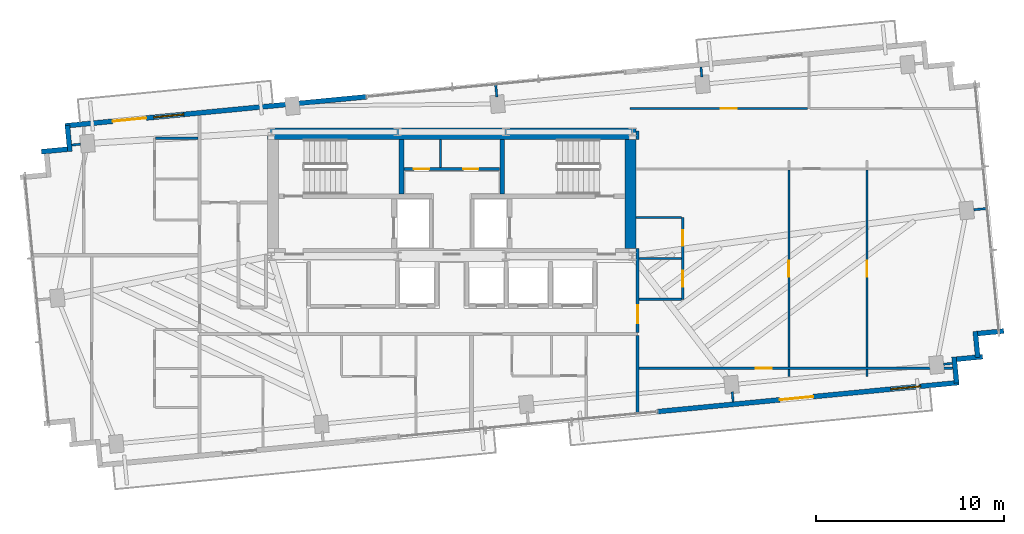
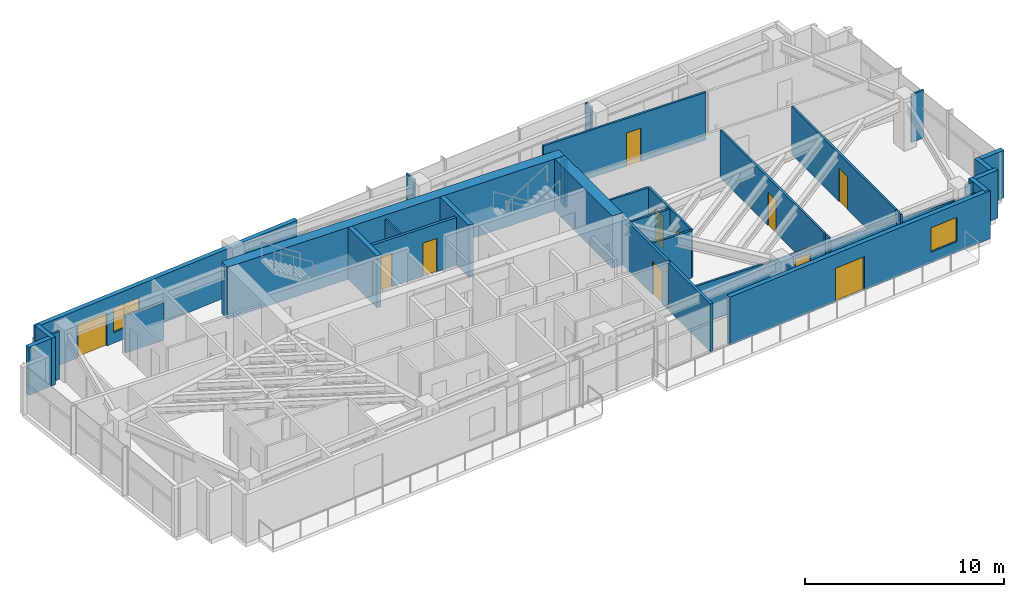
# One storey, part 15 of 18: 34 walls, 11 doors, 2 windows, 13 openings.
"""IFC4 building model written with IfcOpenShell, lengths in metres."""

from ifc_helpers import new_model, si_unit, direction, frame, frame_2d, origin, place, context, subcontext, project, spatial, rectangle, extrude, source, transform, mapped, material, layer, layer_set, type_object, type_shapes, element, fill, save


model = new_model("IFC4")

# Units and contexts
model_context = context("Model", 3, precision=1e-05, world=origin(), true_north=direction((0.0, 1.0)))
body_context = subcontext(model_context, "Body", "Model", "MODEL_VIEW")
ifc_project = project(units=[si_unit("LENGTHUNIT", "METRE"), si_unit("AREAUNIT", "SQUARE_METRE"), si_unit("VOLUMEUNIT", "CUBIC_METRE"), si_unit("PLANEANGLEUNIT", "RADIAN"), si_unit("MASSUNIT", "GRAM", prefix="KILO")], contexts=[model_context])

# Site, building, storey
site_placement = place(None, origin())
site = spatial("IfcSite", under=ifc_project, at=site_placement, CompositionType="ELEMENT")
building_placement = place(site_placement, origin())
building = spatial("IfcBuilding", under=site, at=building_placement, Name="Astriad Promenade Condominiums", CompositionType="ELEMENT")
storey_placement = place(building_placement, frame((0.0, 0.0, 182.60009765625)))
storey = spatial("IfcBuildingStorey", under=building, at=storey_placement, Name="L52", CompositionType="ELEMENT", Elevation=182.60009765625)

# Walls
ifc_material_1 = material(Name="Concrete C50/60", Category="concrete")
ifc_layer_1 = layer(ifc_material_1, 0.60009765625)
ifc_layer_set_1 = layer_set([ifc_layer_1], Name="Concrete C50/60")
wall_type_1 = type_object("IfcWallType", Name="CW-SHEAR-600", PredefinedType="SHEAR", material=ifc_layer_set_1)
wall_1_placement = place(storey_placement, frame((26.199951171875, 23.89990234375, 0.0), z_axis=(0.0, 0.0, 1.0), x_axis=(1.0, 0.0, 0.0)))
element("IfcWall", 1, at=wall_1_placement, inside=storey, type_object=wall_type_1, Name="CW-CORE-N-L52", PredefinedType="SHEAR", context=body_context, shape_type="SweptSolid", body=[
    extrude(rectangle(XDim=19.60009765625, YDim=0.60009765625, at=frame_2d((9.800048828125, 0.0))), origin(), (0.0, 0.0, 1.0), 3.199951171875),
])
wall_2_placement = place(storey_placement, frame((45.5, 17.802001953125, 0.0), z_axis=(0.0, 0.0, 1.0), x_axis=(0.0, 1.0, 0.0)))
element("IfcWall", 2, at=wall_2_placement, inside=storey, type_object=wall_type_1, Name="CW-CORE-E-L52", PredefinedType="SHEAR", context=body_context, shape_type="SweptSolid", body=[
    extrude(rectangle(XDim=5.7958984375, YDim=0.60009765625, at=frame_2d((2.89794921875, 0.0))), origin(), (0.0, 0.0, 1.0), 3.199951171875),
])
ifc_layer_2 = layer(ifc_material_1, 0.25)
ifc_layer_set_2 = layer_set([ifc_layer_2], Name="Concrete C50/60")
wall_type_2 = type_object("IfcWallType", Name="WALL-CORE-INT-250", PredefinedType="SOLIDWALL", material=ifc_layer_set_2)
for number, where, z_axis, x_axis, name in (
    (3, (33.324951171875, 20.701904296875, 0.0), (0.0, 0.0, 1.0), (0.0, 1.0, 0.0), "CW-ST1-E-L52"),
    (4, (38.675048828125, 20.701904296875, 0.0), (0.0, 0.0, 1.0), (0.0, 1.0, 0.0), "CW-ST2-W-L52"),
):
    element("IfcWall", number, at=place(storey_placement, frame(where, z_axis=z_axis, x_axis=x_axis)), inside=storey, type_object=wall_type_2, Name=name, PredefinedType="SOLIDWALL", context=body_context, shape_type="SweptSolid", body=[
        extrude(rectangle(XDim=2.89599609375, YDim=0.25, at=frame_2d((1.447998046875, 0.0))), origin(), (0.0, 0.0, 1.0), 3.199951171875),
    ])

# Wall, openings, doors
ifc_material_2 = material(Name="Fire-Rated Gypsum Partition")
ifc_layer_3 = layer(ifc_material_2, 0.159912109375)
ifc_layer_set_3 = layer_set([ifc_layer_3], Name="Fire-Rated Gypsum Partition")
wall_type_3 = type_object("IfcWallType", Name="WALL-CORR-160", PredefinedType="PARTITIONING", material=ifc_layer_set_3)
wall_3_placement = place(storey_placement, frame((33.451904296875, 22.030029296875, 0.0), z_axis=(0.0, 0.0, 1.0), x_axis=(1.0, 0.0, 0.0)))
wall_3 = element("IfcWall", 5, at=wall_3_placement, inside=storey, type_object=wall_type_3, Name="CW-AUX-N-L52", PredefinedType="PARTITIONING", context=body_context, shape_type="SweptSolid", body=[
    extrude(rectangle(XDim=5.09619140625, YDim=0.159912109375, at=frame_2d((2.548095703125, 0.0))), origin(), (0.0, 0.0, 1.0), 2.93994140625),
])
opening_1_placement = place(wall_3_placement, frame((0.5380859375, 0.0, 0.0)))
opening_1 = element("IfcOpeningElement", 6, at=opening_1_placement, cuts=wall_3, Name="Opening FD60-SV-080", PredefinedType="OPENING", context=body_context, shape_type="SweptSolid", body=[
    extrude(rectangle(XDim=0.800048828125, YDim=2.050048828125, at=frame_2d((0.39990234375, 1.02490234375))), frame((0.0, 0.08984375, 0.0), z_axis=(0.0, -1.0, 0.0), x_axis=(1.0, 0.0, 0.0)), (0.0, 0.0, 1.0), 0.179931640625),
])
opening_2_placement = place(wall_3_placement, frame((3.157958984375, 0.0, 0.0)))
opening_2 = element("IfcOpeningElement", 7, at=opening_2_placement, cuts=wall_3, Name="Opening FD60-SV-080", PredefinedType="OPENING", context=body_context, shape_type="SweptSolid", body=[
    extrude(rectangle(XDim=0.800048828125, YDim=2.050048828125, at=frame_2d((0.39990234375, 1.02490234375))), frame((0.0, 0.08984375, 0.0), z_axis=(0.0, -1.0, 0.0), x_axis=(1.0, 0.0, 0.0)), (0.0, 0.0, 1.0), 0.179931640625),
])
ifc_material_3 = material(Name="Fire-Rated Riser Closet Door")
door_type_1 = type_object("IfcDoorType", Name="FD60-SV-080", OperationType="NOTDEFINED", PredefinedType="DOOR", material=ifc_material_3)
shared_shape_1 = source(origin(), body_context, "Body", "SweptSolid", [
    extrude(rectangle(XDim=0.800048828125, YDim=2.050048828125, at=frame_2d((0.39990234375, 1.02490234375))), frame((0.0, 0.02490234375, 0.0), z_axis=(0.0, -1.0, 0.0), x_axis=(1.0, 0.0, 0.0)), (0.0, 0.0, 1.0), 0.050048828125),
])
type_shapes(door_type_1, [shared_shape_1])
door_1_placement = place(opening_1_placement, origin())
door_1 = element("IfcDoor", 8, at=door_1_placement, inside=storey, type_object=door_type_1, Name="D-AUX1-L52", OperationType="SINGLE_SWING_LEFT", OverallHeight=2.050048828125, OverallWidth=0.800048828125, PredefinedType="DOOR", context=body_context, shape_type="MappedRepresentation", body=[
    mapped(shared_shape_1, transform((0.0, 0.0, 0.0), scale=1.0)),
])
fill(opening_1, door_1)
door_2_placement = place(opening_2_placement, origin())
door_2 = element("IfcDoor", 9, at=door_2_placement, inside=storey, type_object=door_type_1, Name="D-AUX2-L52", OperationType="SINGLE_SWING_RIGHT", OverallHeight=2.050048828125, OverallWidth=0.800048828125, PredefinedType="DOOR", context=body_context, shape_type="MappedRepresentation", body=[
    mapped(shared_shape_1, transform((0.0, 0.0, 0.0), scale=1.0)),
])
fill(opening_2, door_2)

# Wall
wall_4_placement = place(storey_placement, frame((45.8798828125, 8.98095703125, 0.0), z_axis=(0.0, 0.0, 1.0), x_axis=(0.0, 1.0, 0.0)))
element("IfcWall", 10, at=wall_4_placement, inside=storey, type_object=wall_type_3, Name="PT-COR-E-L52", PredefinedType="PARTITIONING", context=body_context, shape_type="SweptSolid", body=[
    extrude(rectangle(XDim=4.18701171875, YDim=0.159912109375, at=frame_2d((2.093505859375, 0.0))), origin(), (0.0, 0.0, 1.0), 2.93994140625),
])

# Wall, opening, door
wall_5_placement = place(storey_placement, frame((45.8798828125, 13.33203125, 0.0), z_axis=(0.0, 0.0, 1.0), x_axis=(0.0, 1.0, 0.0)))
wall_5 = element("IfcWall", 11, at=wall_5_placement, inside=storey, type_object=wall_type_3, Name="PT-COR-E-L52-S2", PredefinedType="PARTITIONING", context=body_context, shape_type="SweptSolid", body=[
    extrude(rectangle(XDim=4.469970703125, YDim=0.159912109375, at=frame_2d((2.23486328125, 0.0))), origin(), (0.0, 0.0, 1.0), 2.93994140625),
])
opening_3_placement = place(wall_5_placement, frame((0.492919921875, 0.0, 0.0)))
opening_3 = element("IfcOpeningElement", 12, at=opening_3_placement, cuts=wall_5, Name="Opening FD60-APT-095", PredefinedType="OPENING", context=body_context, shape_type="SweptSolid", body=[
    extrude(rectangle(XDim=0.949951171875, YDim=2.06005859375, at=frame_2d((0.47509765625, 1.030029296875))), frame((0.0, 0.08984375, 0.0), z_axis=(0.0, -1.0, 0.0), x_axis=(1.0, 0.0, 0.0)), (0.0, 0.0, 1.0), 0.179931640625),
])
ifc_material_4 = material(Name="Solid-Core Acoustic Timber Residence Entry Door", Category="wood")
door_type_2 = type_object("IfcDoorType", Name="FD60-APT-095", OperationType="NOTDEFINED", PredefinedType="DOOR", material=ifc_material_4)
shared_shape_2 = source(origin(), body_context, "Body", "SweptSolid", [
    extrude(rectangle(XDim=0.949951171875, YDim=2.06005859375, at=frame_2d((0.47509765625, 1.030029296875))), frame((0.0, 0.02490234375, 0.0), z_axis=(0.0, -1.0, 0.0), x_axis=(1.0, 0.0, 0.0)), (0.0, 0.0, 1.0), 0.050048828125),
])
type_shapes(door_type_2, [shared_shape_2])
door_3_placement = place(opening_3_placement, origin())
door_3 = element("IfcDoor", 13, at=door_3_placement, inside=storey, type_object=door_type_2, Name="D-ENT-L52-E1", OperationType="SINGLE_SWING_LEFT", OverallHeight=2.06005859375, OverallWidth=0.949951171875, PredefinedType="DOOR", context=body_context, shape_type="MappedRepresentation", body=[
    mapped(shared_shape_2, transform((0.0, 0.0, 0.0), scale=1.0)),
])
fill(opening_3, door_3)

# Walls
wall_6_placement = place(storey_placement, frame((45.8798828125, 23.597900390625, 0.0), z_axis=(0.0, 0.0, 1.0), x_axis=(0.0, 1.0, 0.0)))
element("IfcWall", 14, at=wall_6_placement, inside=storey, type_object=wall_type_3, Name="PT-COR-E-L52-S3", PredefinedType="PARTITIONING", context=body_context, shape_type="SweptSolid", body=[
    extrude(rectangle(XDim=0.4521484375, YDim=0.159912109375, at=frame_2d((0.22607421875, 0.0))), origin(), (0.0, 0.0, 1.0), 2.93994140625),
])
ifc_material_5 = material(Name="Precast concrete C50/60", Category="concrete")
ifc_layer_4 = layer(ifc_material_5, 0.260009765625)
ifc_layer_set_4 = layer_set([ifc_layer_4], Name="Precast concrete C50/60")
wall_type_4 = type_object("IfcWallType", Name="WALL-EXT-TWR-260", PredefinedType="STANDARD", material=ifc_layer_set_4)
wall_7_placement = place(storey_placement, frame((14.182861328125, 22.947265625, 0.0), z_axis=(0.0, 0.0, 1.0), x_axis=(0.99540614245, 0.095742423056, 0.0)))
element("IfcWall", 15, at=wall_7_placement, inside=storey, type_object=wall_type_4, Name="W-SER-L52-06", PredefinedType="STANDARD", context=body_context, shape_type="SweptSolid", body=[
    extrude(rectangle(XDim=1.394775390625, YDim=0.260009765625, at=frame_2d((0.697265625, 0.0))), origin(), (0.0, 0.0, 1.0), 2.93994140625),
])
wall_8_placement = place(storey_placement, frame((15.6982421875, 22.962646484375, 0.0), z_axis=(0.0, 0.0, 1.0), x_axis=(-0.09589913835, 0.995391056452, 0.0)))
element("IfcWall", 16, at=wall_8_placement, inside=storey, type_object=wall_type_4, Name="W-SER-L52-07", PredefinedType="STANDARD", context=body_context, shape_type="SweptSolid", body=[
    extrude(rectangle(XDim=1.39501953125, YDim=0.260009765625, at=frame_2d((0.697509765625, 0.0))), origin(), (0.0, 0.0, 1.0), 2.93994140625),
])

# Wall, openings, door, window
wall_9_placement = place(storey_placement, frame((15.4365234375, 24.32373046875, 0.0), z_axis=(0.0, 0.0, 1.0), x_axis=(0.995395627913, 0.095851676732, 0.0)))
wall_9 = element("IfcWall", 17, at=wall_9_placement, inside=storey, type_object=wall_type_4, Name="W-EXT-L52-N1", PredefinedType="STANDARD", context=body_context, shape_type="SweptSolid", body=[
    extrude(rectangle(XDim=16.10009765625, YDim=0.260009765625, at=frame_2d((8.050048828125, 0.0))), origin(), (0.0, 0.0, 1.0), 2.93994140625),
])
opening_4_placement = place(wall_9_placement, frame((2.54296875, 0.0, 0.0)))
opening_4 = element("IfcOpeningElement", 18, at=opening_4_placement, cuts=wall_9, Name="Opening BD-1822-SLD", PredefinedType="OPENING", context=body_context, shape_type="SweptSolid", body=[
    extrude(rectangle(XDim=1.800048828125, YDim=2.06005859375, at=frame_2d((0.89990234375, 1.030029296875))), frame((0.0, 0.139892578125, 0.0), z_axis=(0.0, -1.0, 0.0), x_axis=(1.0, 0.0, 0.0)), (0.0, 0.0, 1.0), 0.280029296875),
])
opening_5_placement = place(wall_9_placement, frame((4.75, 0.0, 0.64990234375)))
opening_5 = element("IfcOpeningElement", 19, at=opening_5_placement, cuts=wall_9, Name="Opening WIN-TWR-1620", PredefinedType="OPENING", context=body_context, shape_type="SweptSolid", body=[
    extrude(rectangle(XDim=1.60009765625, YDim=1.5, at=frame_2d((0.800048828125, 0.75))), frame((0.0, 0.139892578125, 0.0), z_axis=(0.0, -1.0, 0.0), x_axis=(1.0, 0.0, 0.0)), (0.0, 0.0, 1.0), 0.280029296875),
])
ifc_material_6 = material(Name="Thermally Broken Aluminium Sliding Balcony Door", Category="aluminium")
door_type_3 = type_object("IfcDoorType", Name="BD-1822-SLD", OperationType="NOTDEFINED", PredefinedType="DOOR", material=ifc_material_6)
shared_shape_3 = source(origin(), body_context, "Body", "SweptSolid", [
    extrude(rectangle(XDim=1.800048828125, YDim=2.06005859375, at=frame_2d((0.89990234375, 1.030029296875))), frame((0.0, 0.02490234375, 0.0), z_axis=(0.0, -1.0, 0.0), x_axis=(1.0, 0.0, 0.0)), (0.0, 0.0, 1.0), 0.050048828125),
])
type_shapes(door_type_3, [shared_shape_3])
door_4_placement = place(opening_4_placement, origin())
door_4 = element("IfcDoor", 20, at=door_4_placement, inside=storey, type_object=door_type_3, Name="BD-L52-NW", OperationType="SLIDING_TO_LEFT", OverallHeight=2.06005859375, OverallWidth=1.800048828125, PredefinedType="DOOR", context=body_context, shape_type="MappedRepresentation", body=[
    mapped(shared_shape_3, transform((0.0, 0.0, 0.0), scale=1.0)),
])
fill(opening_4, door_4)
ifc_material_7 = material(Name="Dark Tinted Triple-Glazed Aluminium Window", Category="aluminium")
window_type = type_object("IfcWindowType", Name="WIN-TWR-1620", PartitioningType="SINGLE_PANEL", PredefinedType="WINDOW", material=ifc_material_7)
shared_shape_4 = source(origin(), body_context, "Body", "SweptSolid", [
    extrude(rectangle(XDim=1.60009765625, YDim=1.5, at=frame_2d((0.800048828125, 0.75))), frame((0.0, 0.030029296875, 0.0), z_axis=(0.0, -1.0, 0.0), x_axis=(1.0, 0.0, 0.0)), (0.0, 0.0, 1.0), 0.06005859375),
])
type_shapes(window_type, [shared_shape_4])
window_1_placement = place(opening_5_placement, origin())
window_1 = element("IfcWindow", 21, at=window_1_placement, inside=storey, type_object=window_type, Name="WIN-L52-NW", OverallHeight=1.5, OverallWidth=1.60009765625, PartitioningType="SINGLE_PANEL", PredefinedType="WINDOW", context=body_context, shape_type="MappedRepresentation", body=[
    mapped(shared_shape_4, transform((0.0, 0.0, 0.0), scale=1.0)),
])
fill(opening_5, window_1)

# Walls
wall_10_placement = place(storey_placement, frame((65.341796875, 13.416748046875, 0.0), z_axis=(0.0, 0.0, 1.0), x_axis=(-0.99540774648, -0.095725744959, 0.0)))
element("IfcWall", 22, at=wall_10_placement, inside=storey, type_object=wall_type_4, Name="W-SER-L52-14", PredefinedType="STANDARD", context=body_context, shape_type="SweptSolid", body=[
    extrude(rectangle(XDim=1.39501953125, YDim=0.260009765625, at=frame_2d((0.697509765625, 0.0))), origin(), (0.0, 0.0, 1.0), 2.93994140625),
])
wall_11_placement = place(storey_placement, frame((63.826171875, 13.4013671875, 0.0), z_axis=(0.0, 0.0, 1.0), x_axis=(0.095915846097, -0.995389446633, 0.0)))
element("IfcWall", 23, at=wall_11_placement, inside=storey, type_object=wall_type_4, Name="W-SER-L52-15", PredefinedType="STANDARD", context=body_context, shape_type="SweptSolid", body=[
    extrude(rectangle(XDim=1.394775390625, YDim=0.260009765625, at=frame_2d((0.697265625, 0.0))), origin(), (0.0, 0.0, 1.0), 2.93994140625),
])
for number, where, z_axis, x_axis, name in (
    (24, (64.21728515625, 12.052734375, 0.0), (0.0, 0.0, 1.0), (-0.99540774648, -0.095725744959, 0.0), "W-SER-L52-16"),
    (25, (62.701904296875, 12.037353515625, 0.0), (0.0, 0.0, 1.0), (0.095725744959, -0.99540774648, 0.0), "W-SER-L52-17"),
):
    element("IfcWall", number, at=place(storey_placement, frame(where, z_axis=z_axis, x_axis=x_axis)), inside=storey, type_object=wall_type_4, Name=name, PredefinedType="STANDARD", context=body_context, shape_type="SweptSolid", body=[
        extrude(rectangle(XDim=1.39501953125, YDim=0.260009765625, at=frame_2d((0.697509765625, 0.0))), origin(), (0.0, 0.0, 1.0), 2.93994140625),
    ])

# Wall, openings, door, window
wall_12_placement = place(storey_placement, frame((62.96337890625, 10.67626953125, 0.0), z_axis=(0.0, 0.0, 1.0), x_axis=(-0.995395627913, -0.095851676732, 0.0)))
wall_12 = element("IfcWall", 26, at=wall_12_placement, inside=storey, type_object=wall_type_4, Name="W-EXT-L52-S1", PredefinedType="STANDARD", context=body_context, shape_type="SweptSolid", body=[
    extrude(rectangle(XDim=16.10009765625, YDim=0.260009765625, at=frame_2d((8.050048828125, 0.0))), origin(), (0.0, 0.0, 1.0), 2.93994140625),
])
opening_6_placement = place(wall_12_placement, frame((7.780029296875, 0.0, 0.0)))
opening_6 = element("IfcOpeningElement", 27, at=opening_6_placement, cuts=wall_12, Name="Opening BD-1822-SLD", PredefinedType="OPENING", context=body_context, shape_type="SweptSolid", body=[
    extrude(rectangle(XDim=1.800048828125, YDim=2.06005859375, at=frame_2d((0.89990234375, 1.030029296875))), frame((0.0, 0.139892578125, 0.0), z_axis=(0.0, -1.0, 0.0), x_axis=(1.0, 0.0, 0.0)), (0.0, 0.0, 1.0), 0.280029296875),
])
opening_7_placement = place(wall_12_placement, frame((2.050048828125, 0.0, 0.64990234375)))
opening_7 = element("IfcOpeningElement", 28, at=opening_7_placement, cuts=wall_12, Name="Opening WIN-TWR-1620", PredefinedType="OPENING", context=body_context, shape_type="SweptSolid", body=[
    extrude(rectangle(XDim=1.60009765625, YDim=1.5, at=frame_2d((0.800048828125, 0.75))), frame((0.0, 0.139892578125, 0.0), z_axis=(0.0, -1.0, 0.0), x_axis=(1.0, 0.0, 0.0)), (0.0, 0.0, 1.0), 0.280029296875),
])
door_5_placement = place(opening_6_placement, origin())
door_5 = element("IfcDoor", 29, at=door_5_placement, inside=storey, type_object=door_type_3, Name="BD-L52-SE", OperationType="SLIDING_TO_RIGHT", OverallHeight=2.06005859375, OverallWidth=1.800048828125, PredefinedType="DOOR", context=body_context, shape_type="MappedRepresentation", body=[
    mapped(shared_shape_3, transform((0.0, 0.0, 0.0), scale=1.0)),
])
fill(opening_6, door_5)
window_2_placement = place(opening_7_placement, origin())
window_2 = element("IfcWindow", 30, at=window_2_placement, inside=storey, type_object=window_type, Name="WIN-L52-SE", OverallHeight=1.5, OverallWidth=1.60009765625, PartitioningType="SINGLE_PANEL", PredefinedType="WINDOW", context=body_context, shape_type="MappedRepresentation", body=[
    mapped(shared_shape_4, transform((0.0, 0.0, 0.0), scale=1.0)),
])
fill(opening_7, window_2)

# Walls
ifc_material_8 = material(Name="Acoustic Metal-Stud Gypsum Partition")
ifc_layer_5 = layer(ifc_material_8, 0.1201171875)
ifc_layer_set_5 = layer_set([ifc_layer_5], Name="Acoustic Metal-Stud Gypsum Partition")
wall_type_5 = type_object("IfcWallType", Name="WALL-PART-120", PredefinedType="PARTITIONING", material=ifc_layer_set_5)
wall_13_placement = place(storey_placement, frame((35.39990234375, 22.112060546875, 0.0), z_axis=(0.0, 0.0, 1.0), x_axis=(0.0, 1.0, 0.0)))
element("IfcWall", 31, at=wall_13_placement, inside=storey, type_object=wall_type_5, Name="CW-AUX-V1-L52", PredefinedType="PARTITIONING", context=body_context, shape_type="SweptSolid", body=[
    extrude(rectangle(XDim=1.48583984375, YDim=0.1201171875, at=frame_2d((0.742919921875, 0.0))), origin(), (0.0, 0.0, 1.0), 2.93994140625),
])
wall_14_placement = place(storey_placement, frame((20.261962890625, 23.669921875, 0.0), z_axis=(0.0, 0.0, 1.0), x_axis=(1.0, 0.0, 0.0)))
element("IfcWall", 32, at=wall_14_placement, inside=storey, type_object=wall_type_5, Name="PT-L52-W2-PN", PredefinedType="PARTITIONING", context=body_context, shape_type="SweptSolid", body=[
    extrude(rectangle(XDim=2.256103515625, YDim=0.1201171875, at=frame_2d((1.1279296875, 0.0))), origin(), (0.0, 0.0, 1.0), 2.300048828125),
])

# Wall, openings, doors
wall_15_placement = place(storey_placement, frame((48.280029296875, 15.10009765625, 0.0), z_axis=(0.0, 0.0, 1.0), x_axis=(0.0, 1.0, 0.0)))
wall_15 = element("IfcWall", 33, at=wall_15_placement, inside=storey, type_object=wall_type_5, Name="PT-L52-E1-PV", PredefinedType="PARTITIONING", context=body_context, shape_type="SweptSolid", body=[
    extrude(rectangle(XDim=4.349853515625, YDim=0.1201171875, at=frame_2d((2.1748046875, 0.0))), origin(), (0.0, 0.0, 1.0), 2.93994140625),
])
opening_8_placement = place(wall_15_placement, frame((0.6630859375, 0.0, 0.0)))
opening_8 = element("IfcOpeningElement", 34, at=opening_8_placement, cuts=wall_15, Name="Opening D-INT-085", PredefinedType="OPENING", context=body_context, shape_type="SweptSolid", body=[
    extrude(rectangle(XDim=0.85009765625, YDim=2.050048828125, at=frame_2d((0.425048828125, 1.02490234375))), frame((0.0, 0.070068359375, 0.0), z_axis=(0.0, -1.0, 0.0), x_axis=(1.0, 0.0, 0.0)), (0.0, 0.0, 1.0), 0.14013671875),
])
opening_9_placement = place(wall_15_placement, frame((2.862060546875, 0.0, 0.0)))
opening_9 = element("IfcOpeningElement", 35, at=opening_9_placement, cuts=wall_15, Name="Opening D-WET-080", PredefinedType="OPENING", context=body_context, shape_type="SweptSolid", body=[
    extrude(rectangle(XDim=0.800048828125, YDim=2.02001953125, at=frame_2d((0.39990234375, 1.010009765625))), frame((0.0, 0.070068359375, 0.0), z_axis=(0.0, -1.0, 0.0), x_axis=(1.0, 0.0, 0.0)), (0.0, 0.0, 1.0), 0.14013671875),
])
ifc_material_9 = material(Name="Moisture-Resistant Timber Bathroom Door", Category="wood")
door_type_4 = type_object("IfcDoorType", Name="D-WET-080", OperationType="NOTDEFINED", PredefinedType="DOOR", material=ifc_material_9)
shared_shape_5 = source(origin(), body_context, "Body", "SweptSolid", [
    extrude(rectangle(XDim=0.800048828125, YDim=2.02001953125, at=frame_2d((0.39990234375, 1.010009765625))), frame((0.0, 0.02490234375, 0.0), z_axis=(0.0, -1.0, 0.0), x_axis=(1.0, 0.0, 0.0)), (0.0, 0.0, 1.0), 0.050048828125),
])
type_shapes(door_type_4, [shared_shape_5])
door_6_placement = place(opening_9_placement, origin())
door_6 = element("IfcDoor", 36, at=door_6_placement, inside=storey, type_object=door_type_4, Name="D-BTH-L52-E1", OperationType="SINGLE_SWING_LEFT", OverallHeight=2.02001953125, OverallWidth=0.800048828125, PredefinedType="DOOR", context=body_context, shape_type="MappedRepresentation", body=[
    mapped(shared_shape_5, transform((0.0, 0.0, 0.0), scale=1.0)),
])
fill(opening_9, door_6)
ifc_material_10 = material(Name="Painted Solid-Core Timber Room Door", Category="wood")
door_type_5 = type_object("IfcDoorType", Name="D-INT-085", OperationType="NOTDEFINED", PredefinedType="DOOR", material=ifc_material_10)
shared_shape_6 = source(origin(), body_context, "Body", "SweptSolid", [
    extrude(rectangle(XDim=0.85009765625, YDim=2.050048828125, at=frame_2d((0.425048828125, 1.02490234375))), frame((0.0, 0.02490234375, 0.0), z_axis=(0.0, -1.0, 0.0), x_axis=(1.0, 0.0, 0.0)), (0.0, 0.0, 1.0), 0.050048828125),
])
type_shapes(door_type_5, [shared_shape_6])
door_7_placement = place(opening_8_placement, origin())
door_7 = element("IfcDoor", 37, at=door_7_placement, inside=storey, type_object=door_type_5, Name="D-KIT-L52-E1", OperationType="SINGLE_SWING_RIGHT", OverallHeight=2.050048828125, OverallWidth=0.85009765625, PredefinedType="DOOR", context=body_context, shape_type="MappedRepresentation", body=[
    mapped(shared_shape_6, transform((0.0, 0.0, 0.0), scale=1.0)),
])
fill(opening_8, door_7)

# Walls
for number, where, z_axis, x_axis, name in (
    (38, (45.9619140625, 17.27490234375, 0.0), (0.0, 0.0, 1.0), (1.0, 0.0, 0.0), "PT-L52-E1-PM"),
    (39, (45.9619140625, 15.10009765625, 0.0), (0.0, 0.0, 1.0), (1.0, 0.0, 0.0), "PT-L52-E1-PS"),
):
    element("IfcWall", number, at=place(storey_placement, frame(where, z_axis=z_axis, x_axis=x_axis)), inside=storey, type_object=wall_type_5, Name=name, PredefinedType="PARTITIONING", context=body_context, shape_type="SweptSolid", body=[
        extrude(rectangle(XDim=2.256103515625, YDim=0.1201171875, at=frame_2d((1.1279296875, 0.0))), origin(), (0.0, 0.0, 1.0), 2.93994140625),
    ])
wall_16_placement = place(storey_placement, frame((45.802001953125, 19.449951171875, 0.0), z_axis=(0.0, 0.0, 1.0), x_axis=(1.0, 0.0, 0.0)))
element("IfcWall", 40, at=wall_16_placement, inside=storey, type_object=wall_type_5, Name="PT-L52-E1-PN", PredefinedType="PARTITIONING", context=body_context, shape_type="SweptSolid", body=[
    extrude(rectangle(XDim=2.416015625, YDim=0.1201171875, at=frame_2d((1.2080078125, 0.0))), origin(), (0.0, 0.0, 1.0), 2.93994140625),
])

# Wall, opening, door
wall_17_placement = place(storey_placement, frame((45.4599609375, 25.2470703125, 0.0), z_axis=(0.0, 0.0, 1.0), x_axis=(1.0, 0.0, 0.0)))
wall_17 = element("IfcWall", 41, at=wall_17_placement, inside=storey, type_object=wall_type_5, Name="PT-L52-E1-B1", PredefinedType="PARTITIONING", context=body_context, shape_type="SweptSolid", body=[
    extrude(rectangle(XDim=9.4609375, YDim=0.1201171875, at=frame_2d((4.73046875, 0.0))), origin(), (0.0, 0.0, 1.0), 2.93994140625),
])
opening_10_placement = place(wall_17_placement, frame((4.825927734375, 0.0, 0.0)))
opening_10 = element("IfcOpeningElement", 42, at=opening_10_placement, cuts=wall_17, Name="Opening D-INT-085", PredefinedType="OPENING", context=body_context, shape_type="SweptSolid", body=[
    extrude(rectangle(XDim=0.85009765625, YDim=2.050048828125, at=frame_2d((0.425048828125, 1.02490234375))), frame((0.0, 0.070068359375, 0.0), z_axis=(0.0, -1.0, 0.0), x_axis=(1.0, 0.0, 0.0)), (0.0, 0.0, 1.0), 0.14013671875),
])
door_8_placement = place(opening_10_placement, origin())
door_8 = element("IfcDoor", 43, at=door_8_placement, inside=storey, type_object=door_type_5, Name="D-BD1-L52-E1", OperationType="SINGLE_SWING_RIGHT", OverallHeight=2.050048828125, OverallWidth=0.85009765625, PredefinedType="DOOR", context=body_context, shape_type="MappedRepresentation", body=[
    mapped(shared_shape_6, transform((0.0, 0.0, 0.0), scale=1.0)),
])
fill(opening_10, door_8)

wall_18_placement = place(storey_placement, frame((45.9619140625, 11.43310546875, 0.0), z_axis=(0.0, 0.0, 1.0), x_axis=(1.0, 0.0, 0.0)))
wall_18 = element("IfcWall", 44, at=wall_18_placement, inside=storey, type_object=wall_type_5, Name="PT-L52-E1-WDS2", PredefinedType="PARTITIONING", context=body_context, shape_type="SweptSolid", body=[
    extrude(rectangle(XDim=16.66552734375, YDim=0.1201171875, at=frame_2d((8.332763671875, 0.0))), origin(), (0.0, 0.0, 1.0), 2.38232421875),
])
opening_11_placement = place(wall_18_placement, frame((6.18603515625, 0.0, 0.0)))
opening_11 = element("IfcOpeningElement", 45, at=opening_11_placement, cuts=wall_18, Name="Opening D-INT-085", PredefinedType="OPENING", context=body_context, shape_type="SweptSolid", body=[
    extrude(rectangle(XDim=0.85009765625, YDim=2.050048828125, at=frame_2d((0.425048828125, 1.02490234375))), frame((0.0, 0.070068359375, 0.0), z_axis=(0.0, -1.0, 0.0), x_axis=(1.0, 0.0, 0.0)), (0.0, 0.0, 1.0), 0.14013671875),
])
door_9_placement = place(opening_11_placement, origin())
door_9 = element("IfcDoor", 46, at=door_9_placement, inside=storey, type_object=door_type_5, Name="D-WDS2-L52-E1", OperationType="SINGLE_SWING_LEFT", OverallHeight=2.050048828125, OverallWidth=0.85009765625, PredefinedType="DOOR", context=body_context, shape_type="MappedRepresentation", body=[
    mapped(shared_shape_6, transform((0.0, 0.0, 0.0), scale=1.0)),
])
fill(opening_11, door_9)

# Wall
wall_19_placement = place(storey_placement, frame((58.070068359375, 10.992919921875, 0.0), z_axis=(0.0, 0.0, 1.0), x_axis=(0.0, 1.0, 0.0)))
element("IfcWall", 47, at=wall_19_placement, inside=storey, type_object=wall_type_5, Name="PT-L52-E1-WDV3", PredefinedType="PARTITIONING", context=body_context, shape_type="SweptSolid", body=[
    extrude(rectangle(XDim=0.378173828125, YDim=0.1201171875, at=frame_2d((0.18896484375, 0.0))), origin(), (0.0, 0.0, 1.0), 2.93994140625),
])

# Wall, opening, door
wall_20_placement = place(storey_placement, frame((58.070068359375, 11.4951171875, 0.0), z_axis=(0.0, 0.0, 1.0), x_axis=(0.0, 1.0, 0.0)))
wall_20 = element("IfcWall", 48, at=wall_20_placement, inside=storey, type_object=wall_type_5, Name="PT-L52-E1-WDV3-S2", PredefinedType="PARTITIONING", context=body_context, shape_type="SweptSolid", body=[
    extrude(rectangle(XDim=10.474853515625, YDim=0.1201171875, at=frame_2d((5.2373046875, 0.0))), origin(), (0.0, 0.0, 1.0), 2.93994140625),
])
opening_12_placement = place(wall_20_placement, frame((4.81201171875, 0.0, 0.0)))
opening_12 = element("IfcOpeningElement", 49, at=opening_12_placement, cuts=wall_20, Name="Opening D-INT-085", PredefinedType="OPENING", context=body_context, shape_type="SweptSolid", body=[
    extrude(rectangle(XDim=0.85009765625, YDim=2.050048828125, at=frame_2d((0.425048828125, 1.02490234375))), frame((0.0, 0.070068359375, 0.0), z_axis=(0.0, -1.0, 0.0), x_axis=(1.0, 0.0, 0.0)), (0.0, 0.0, 1.0), 0.14013671875),
])
door_10_placement = place(opening_12_placement, origin())
door_10 = element("IfcDoor", 50, at=door_10_placement, inside=storey, type_object=door_type_5, Name="D-WDV3-L52-E1", OperationType="SINGLE_SWING_RIGHT", OverallHeight=2.050048828125, OverallWidth=0.85009765625, PredefinedType="DOOR", context=body_context, shape_type="MappedRepresentation", body=[
    mapped(shared_shape_6, transform((0.0, 0.0, 0.0), scale=1.0)),
])
fill(opening_12, door_10)

# Wall
wall_21_placement = place(storey_placement, frame((53.923095703125, 10.992919921875, 0.0), z_axis=(0.0, 0.0, 1.0), x_axis=(0.0, 1.0, 0.0)))
element("IfcWall", 51, at=wall_21_placement, inside=storey, type_object=wall_type_5, Name="PT-L52-E1-WDV4", PredefinedType="PARTITIONING", context=body_context, shape_type="SweptSolid", body=[
    extrude(rectangle(XDim=0.378173828125, YDim=0.1201171875, at=frame_2d((0.18896484375, 0.0))), origin(), (0.0, 0.0, 1.0), 2.93994140625),
])

# Wall, opening, door
wall_22_placement = place(storey_placement, frame((53.923095703125, 11.4951171875, 0.0), z_axis=(0.0, 0.0, 1.0), x_axis=(0.0, 1.0, 0.0)))
wall_22 = element("IfcWall", 52, at=wall_22_placement, inside=storey, type_object=wall_type_5, Name="PT-L52-E1-WDV4-S2", PredefinedType="PARTITIONING", context=body_context, shape_type="SweptSolid", body=[
    extrude(rectangle(XDim=10.474853515625, YDim=0.1201171875, at=frame_2d((5.2373046875, 0.0))), origin(), (0.0, 0.0, 1.0), 2.93994140625),
])
opening_13_placement = place(wall_22_placement, frame((4.81201171875, 0.0, 0.0)))
opening_13 = element("IfcOpeningElement", 53, at=opening_13_placement, cuts=wall_22, Name="Opening D-INT-085", PredefinedType="OPENING", context=body_context, shape_type="SweptSolid", body=[
    extrude(rectangle(XDim=0.85009765625, YDim=2.050048828125, at=frame_2d((0.425048828125, 1.02490234375))), frame((0.0, 0.070068359375, 0.0), z_axis=(0.0, -1.0, 0.0), x_axis=(1.0, 0.0, 0.0)), (0.0, 0.0, 1.0), 0.14013671875),
])
door_11_placement = place(opening_13_placement, origin())
door_11 = element("IfcDoor", 54, at=door_11_placement, inside=storey, type_object=door_type_5, Name="D-WDV4-L52-E1", OperationType="SINGLE_SWING_LEFT", OverallHeight=2.050048828125, OverallWidth=0.85009765625, PredefinedType="DOOR", context=body_context, shape_type="MappedRepresentation", body=[
    mapped(shared_shape_6, transform((0.0, 0.0, 0.0), scale=1.0)),
])
fill(opening_13, door_11)

# Walls
wall_23_placement = place(storey_placement, frame((50.90478515625, 10.18798828125, 0.0), z_axis=(0.0, 0.0, 1.0), x_axis=(0.095772948675, -0.995403205893, 0.0)))
element("IfcWall", 55, at=wall_23_placement, inside=storey, type_object=wall_type_5, Name="PT-PIL-L52-PC04-11", PredefinedType="PARTITIONING", context=body_context, shape_type="SweptSolid", body=[
    extrude(rectangle(XDim=0.537841796875, YDim=0.1201171875, at=frame_2d((0.26904296875, 0.0))), origin(), (0.0, 0.0, 1.0), 2.93994140625),
])
for number, where, z_axis, x_axis, name in (
    (56, (62.146240234375, 11.65234375, 0.0), (0.0, 0.0, 1.0), (0.995384576284, 0.09596637586, 0.0), "PT-PIL-L52-PC05-12"),
    (57, (16.25390625, 23.34765625, 0.0), (0.0, 0.0, 1.0), (-0.995384576284, -0.09596637586, 0.0), "PT-PIL-L52-PC06-13"),
):
    element("IfcWall", number, at=place(storey_placement, frame(where, z_axis=z_axis, x_axis=x_axis)), inside=storey, type_object=wall_type_5, Name=name, PredefinedType="PARTITIONING", context=body_context, shape_type="SweptSolid", body=[
        extrude(rectangle(XDim=0.4580078125, YDim=0.1201171875, at=frame_2d((0.22900390625, 0.0))), origin(), (0.0, 0.0, 1.0), 2.93994140625),
    ])
wall_24_placement = place(storey_placement, frame((38.39501953125, 25.861328125, 0.0), z_axis=(0.0, 0.0, 1.0), x_axis=(-0.095977354523, 0.995383517755, 0.0)))
element("IfcWall", 58, at=wall_24_placement, inside=storey, type_object=wall_type_5, Name="PT-PIL-L52-PC08-15", PredefinedType="PARTITIONING", context=body_context, shape_type="SweptSolid", body=[
    extrude(rectangle(XDim=0.719970703125, YDim=0.1201171875, at=frame_2d((0.35986328125, 0.0))), origin(), (0.0, 0.0, 1.0), 2.93994140625),
])
wall_25_placement = place(storey_placement, frame((49.29443359375, 26.910888671875, 0.0), z_axis=(0.0, 0.0, 1.0), x_axis=(-0.095772948675, 0.995403205893, 0.0)))
element("IfcWall", 59, at=wall_25_placement, inside=storey, type_object=wall_type_5, Name="PT-PIL-L52-PC09-16", PredefinedType="PARTITIONING", context=body_context, shape_type="SweptSolid", body=[
    extrude(rectangle(XDim=0.537841796875, YDim=0.1201171875, at=frame_2d((0.26904296875, 0.0))), origin(), (0.0, 0.0, 1.0), 2.93994140625),
])
wall_26_placement = place(storey_placement, frame((63.74658203125, 19.863525390625, 0.0), z_axis=(0.0, 0.0, 1.0), x_axis=(0.995405496295, 0.095749140702, 0.0)))
element("IfcWall", 60, at=wall_26_placement, inside=storey, type_object=wall_type_5, Name="PT-PIL-L52-PC12-19", PredefinedType="PARTITIONING", context=body_context, shape_type="SweptSolid", body=[
    extrude(rectangle(XDim=0.759765625, YDim=0.1201171875, at=frame_2d((0.3798828125, 0.0))), origin(), (0.0, 0.0, 1.0), 2.93994140625),
])

save(model, "model.ifc")
